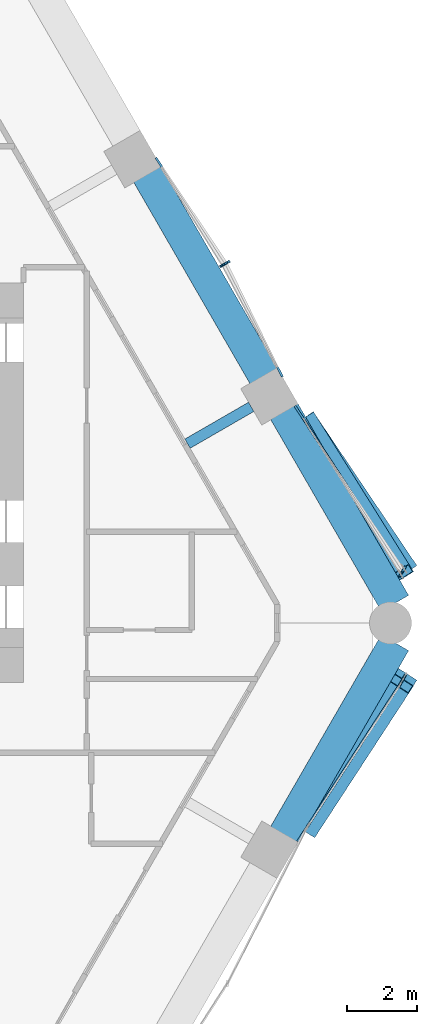
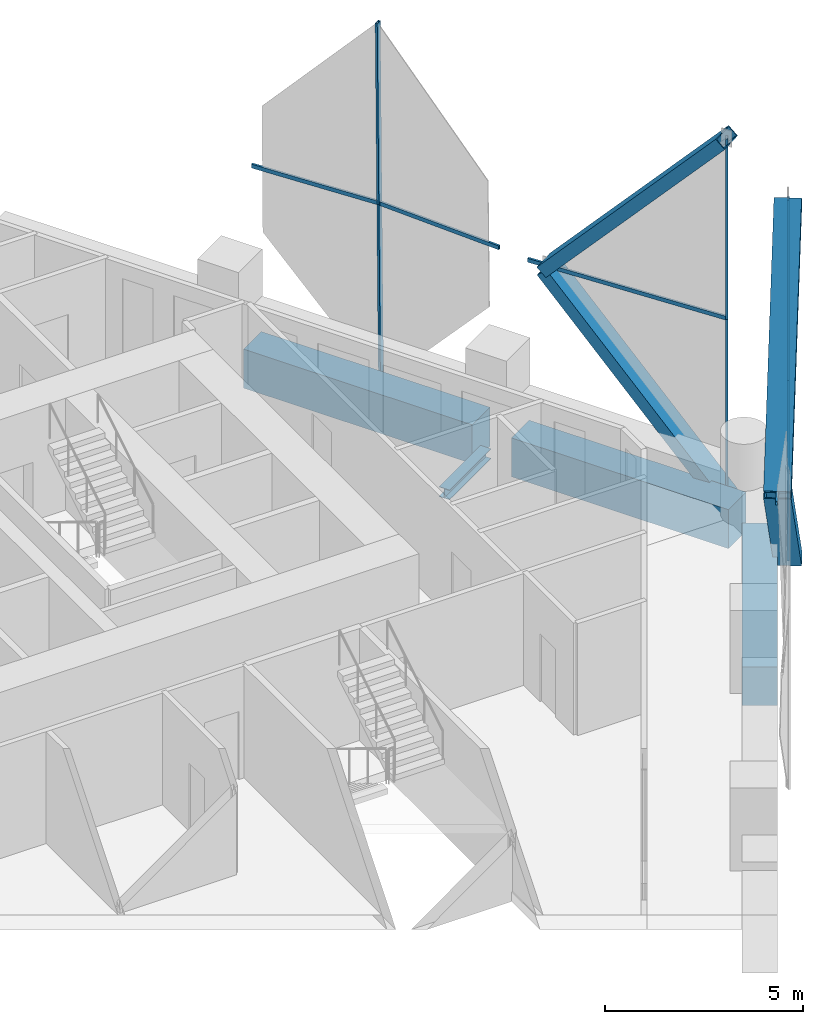
# One storey, part 7 of 16: 14 members, 4 beams, 4 elements without a shape of their own.
"""IFC4 building model written with IfcOpenShell, lengths in metres."""

from ifc_helpers import new_model, si_unit, direction, frame, origin, origin_2d, place, context, subcontext, project, spatial, rectangle, hollow_rectangle, i_section, extrude, material, material_profile, profile_set, type_object, element, aggregate, save


model = new_model("IFC4")

# Units and contexts
model_context = context("Model", 3, precision=1e-05, world=origin(), true_north=direction((0.0, 1.0)))
body_context = subcontext(model_context, "Body", "Model", "MODEL_VIEW")
ifc_project = project(units=[si_unit("LENGTHUNIT", "METRE"), si_unit("AREAUNIT", "SQUARE_METRE"), si_unit("VOLUMEUNIT", "CUBIC_METRE"), si_unit("PLANEANGLEUNIT", "RADIAN"), si_unit("MASSUNIT", "GRAM", prefix="KILO")], contexts=[model_context])

# Site, building, storey
site_placement = place(None, origin())
site = spatial("IfcSite", under=ifc_project, at=site_placement, CompositionType="ELEMENT")
building_placement = place(site_placement, origin())
building = spatial("IfcBuilding", under=site, at=building_placement, Name="Ostrander Bayou Hotel Tower", CompositionType="ELEMENT")
storey_placement = place(building_placement, frame((0.0, 0.0, 85.5)))
storey = spatial("IfcBuildingStorey", under=building, at=storey_placement, Name="L21", CompositionType="ELEMENT", Elevation=85.5)

# Curtain wall, members
ifc_material_1 = material(Name="Aluminium and clear glass", Category="aluminium")
curtain_wall_type = type_object("IfcCurtainWallType", Name="CW-LAT lattice glazing", PredefinedType="NOTDEFINED", material=ifc_material_1)
curtain_wall_1_placement = place(storey_placement, origin())
curtain_wall_1 = element("IfcCurtainWall", 1, at=curtain_wall_1_placement, inside=storey, type_object=curtain_wall_type, Name="CW-LAT L21 SE 1", PredefinedType="NOTDEFINED")
ifc_material_2 = material(Name="Aluminium", Category="aluminium")
ifc_material_profile_1 = material_profile(ifc_material_2, hollow_rectangle(XDim=0.06005859375, YDim=0.159912109375, WallThickness=0.00390625, at=origin_2d()))
ifc_profile_set_1 = profile_set([ifc_material_profile_1], Name="Aluminium")
member_type_1 = type_object("IfcMemberType", Name="CW-LA mullion 60 x 160 mm", PredefinedType="MULLION", material=ifc_profile_set_1)
member_1_placement = place(storey_placement, frame((22.8564453125, -1.551513671875, -0.60009765625), z_axis=(-0.008418950603, -0.014537878618, 0.99985887572), x_axis=(0.865367327112, -0.50113809391, 0.0)))
member_1 = element("IfcMember", 2, at=member_1_placement, type_object=member_type_1, Name="CW-LAT mullion 5", PredefinedType="MULLION", context=body_context, shape_type="SweptSolid", body=[
    extrude(hollow_rectangle(XDim=0.06005859375, YDim=0.159912109375, WallThickness=0.00390625, at=origin_2d()), origin(), (0.0, 0.0, 1.0), 5.625732421875),
])
member_2_placement = place(storey_placement, frame((22.80908203125, -1.63330078125, 5.02490234375), z_axis=(-0.008375557002, -0.014537883916, 0.999859240081), x_axis=(0.866486855147, -0.499199889682, 0.0)))
member_2 = element("IfcMember", 3, at=member_2_placement, type_object=member_type_1, Name="CW-LAT mullion 6", PredefinedType="MULLION", context=body_context, shape_type="SweptSolid", body=[
    extrude(hollow_rectangle(XDim=0.06005859375, YDim=0.159912109375, WallThickness=0.00390625, at=origin_2d()), origin(), (0.0, 0.0, 1.0), 5.625732421875),
])
aggregate(curtain_wall_1, [member_1, member_2])

curtain_wall_2_placement = place(storey_placement, origin())
curtain_wall_2 = element("IfcCurtainWall", 4, at=curtain_wall_2_placement, inside=storey, type_object=curtain_wall_type, Name="CW-LAT L21 NE 1", PredefinedType="NOTDEFINED")
member_3_placement = place(storey_placement, frame((22.8564453125, 1.551513671875, -0.60009765625), z_axis=(-0.008418950603, -0.014537878618, 0.99985887572), x_axis=(0.865367327112, -0.50113809391, 0.0)))
member_3 = element("IfcMember", 5, at=member_3_placement, type_object=member_type_1, Name="CW-LAT mullion 1", PredefinedType="MULLION", context=body_context, shape_type="SweptSolid", body=[
    extrude(hollow_rectangle(XDim=0.06005859375, YDim=0.159912109375, WallThickness=0.00390625, at=origin_2d()), origin(), (0.0, 0.0, 1.0), 5.625732421875),
])
member_4_placement = place(storey_placement, frame((22.80908203125, 1.4697265625, 5.02490234375), z_axis=(-0.008375557002, -0.014537883916, 0.999859240081), x_axis=(0.866486855147, -0.499199889682, 0.0)))
member_4 = element("IfcMember", 6, at=member_4_placement, type_object=member_type_1, Name="CW-LAT mullion 2", PredefinedType="MULLION", context=body_context, shape_type="SweptSolid", body=[
    extrude(hollow_rectangle(XDim=0.06005859375, YDim=0.159912109375, WallThickness=0.00390625, at=origin_2d()), origin(), (0.0, 0.0, 1.0), 5.625732421875),
])
member_5_placement = place(storey_placement, frame((17.814208984375, 10.284912109375, -0.60009765625), z_axis=(-0.012585478078, -0.007247499445, 0.999894534185), x_axis=(0.499032451057, -0.866583298242, 0.0)))
member_5 = element("IfcMember", 7, at=member_5_placement, type_object=member_type_1, Name="CW-LAT mullion 4", PredefinedType="MULLION", context=body_context, shape_type="SweptSolid", body=[
    extrude(hollow_rectangle(XDim=0.06005859375, YDim=0.159912109375, WallThickness=0.00390625, at=origin_2d()), origin(), (0.0, 0.0, 1.0), 5.62548828125),
])
member_6_placement = place(storey_placement, frame((17.743408203125, 10.244140625, 5.02490234375), z_axis=(-0.012628865384, -0.007290891356, 0.999893671678), x_axis=(0.499980071345, -0.866036909293, 0.0)))
member_6 = element("IfcMember", 8, at=member_6_placement, type_object=member_type_1, Name="CW-LAT mullion 5", PredefinedType="MULLION", context=body_context, shape_type="SweptSolid", body=[
    extrude(hollow_rectangle(XDim=0.06005859375, YDim=0.159912109375, WallThickness=0.00390625, at=origin_2d()), origin(), (0.0, 0.0, 1.0), 5.62548828125),
])
aggregate(curtain_wall_2, [member_3, member_4, member_5, member_6])

# Curtain wall, member
curtain_wall_3_placement = place(storey_placement, origin())
curtain_wall_3 = element("IfcCurtainWall", 9, at=curtain_wall_3_placement, inside=storey, type_object=curtain_wall_type, Name="CW-LAT L21 SE 2", PredefinedType="NOTDEFINED")
ifc_material_3 = material(Name="Aluminium", Category="aluminium")
ifc_material_profile_2 = material_profile(ifc_material_3, hollow_rectangle(XDim=0.06005859375, YDim=0.1201171875, WallThickness=0.00390625, at=origin_2d()))
ifc_profile_set_2 = profile_set([ifc_material_profile_2], Name="Aluminium")
member_type_2 = type_object("IfcMemberType", Name="CW-LA transom 60 x 120 mm", PredefinedType="USERDEFINED", material=ifc_profile_set_2)
member_7_placement = place(storey_placement, frame((22.80908203125, -1.63330078125, 5.02490234375), z_axis=(-0.545018043836, -0.838424314946, 0.0), x_axis=(0.838424314946, -0.545018043836, 0.0)))
member_7 = element("IfcMember", 10, at=member_7_placement, type_object=member_type_2, Name="CW-LAT transom 7", ObjectType="TRANSOM", PredefinedType="USERDEFINED", context=body_context, shape_type="SweptSolid", body=[
    extrude(hollow_rectangle(XDim=0.06005859375, YDim=0.1201171875, WallThickness=0.00390625, at=origin_2d()), origin(), (0.0, 0.0, 1.0), 5.490966796875),
])
aggregate(curtain_wall_3, [member_7])

# Curtain wall, members
curtain_wall_4_placement = place(storey_placement, origin())
curtain_wall_4 = element("IfcCurtainWall", 11, at=curtain_wall_4_placement, inside=storey, type_object=curtain_wall_type, Name="CW-LAT L21 NE 2", PredefinedType="NOTDEFINED")
member_8_placement = place(storey_placement, frame((22.80908203125, 1.4697265625, 5.02490234375), z_axis=(-0.544395572658, 0.838828624017, 0.0), x_axis=(-0.838828624017, -0.544395572658, 0.0)))
member_8 = element("IfcMember", 12, at=member_8_placement, type_object=member_type_2, Name="CW-LAT transom 3", ObjectType="TRANSOM", PredefinedType="USERDEFINED", context=body_context, shape_type="SweptSolid", body=[
    extrude(hollow_rectangle(XDim=0.06005859375, YDim=0.1201171875, WallThickness=0.00390625, at=origin_2d()), origin(), (0.0, 0.0, 1.0), 5.632568359375),
])
member_9_placement = place(storey_placement, frame((17.743408203125, 10.244140625, 5.02490234375), z_axis=(0.454202173952, -0.890898639115, 0.0), x_axis=(0.890898639115, 0.454202173952, 0.0)))
member_9 = element("IfcMember", 13, at=member_9_placement, type_object=member_type_2, Name="CW-LAT transom 6", ObjectType="TRANSOM", PredefinedType="USERDEFINED", context=body_context, shape_type="SweptSolid", body=[
    extrude(hollow_rectangle(XDim=0.06005859375, YDim=0.1201171875, WallThickness=0.00390625, at=origin_2d()), origin(), (0.0, 0.0, 1.0), 3.612060546875),
])
member_10_placement = place(storey_placement, frame((17.743408203125, 10.244140625, 5.02490234375), z_axis=(-0.544446826203, 0.838795358498, 0.0), x_axis=(-0.838795358498, -0.544446826203, 0.0)))
member_10 = element("IfcMember", 14, at=member_10_placement, type_object=member_type_2, Name="CW-LAT transom 7", ObjectType="TRANSOM", PredefinedType="USERDEFINED", context=body_context, shape_type="SweptSolid", body=[
    extrude(hollow_rectangle(XDim=0.06005859375, YDim=0.1201171875, WallThickness=0.00390625, at=origin_2d()), origin(), (0.0, 0.0, 1.0), 3.61376953125),
])
aggregate(curtain_wall_4, [member_8, member_9, member_10])

# Beam
ifc_material_4 = material(Name="Steel ASTM A992", Category="steel")
ifc_material_profile_3 = material_profile(ifc_material_4, i_section(OverallWidth=0.3046875, OverallDepth=0.307861328125, WebThickness=0.010009765625, FlangeThickness=0.015380859375, at=origin_2d()))
ifc_profile_set_3 = profile_set([ifc_material_profile_3], Name="Steel ASTM A992")
beam_type_1 = type_object("IfcBeamType", Name="LB1 loggia bracket W12x65", PredefinedType="BEAM", material=ifc_profile_set_3)
beam_1_placement = place(storey_placement, frame((18.494384765625, 6.166748046875, -0.453857421875), z_axis=(-0.866009402589, -0.500027713859, 0.0), x_axis=(0.500027713859, -0.866009402589, 0.0)))
element("IfcBeam", 15, at=beam_1_placement, inside=storey, type_object=beam_type_1, Name="LB1 L21 NE1", PredefinedType="BEAM", context=body_context, shape_type="SweptSolid", body=[
    extrude(i_section(OverallWidth=0.3046875, OverallDepth=0.307861328125, WebThickness=0.010009765625, FlangeThickness=0.015380859375, at=origin_2d()), origin(), (0.0, 0.0, 1.0), 2.10009765625),
])

# Members
ifc_material_5 = material(Name="Steel ASTM A572 Gr 50", Category="steel")
ifc_material_profile_4 = material_profile(ifc_material_5, hollow_rectangle(XDim=0.699951171875, YDim=0.35009765625, WallThickness=0.02490234375, at=origin_2d()))
ifc_profile_set_4 = profile_set([ifc_material_profile_4], Name="Steel ASTM A572 Gr 50")
member_type_3 = type_object("IfcMemberType", Name="LT1 lattice member box 700 x 350 x 25 mm", PredefinedType="BRACE", material=ifc_profile_set_4)
member_11_placement = place(storey_placement, frame((20.082763671875, -5.826904296875, 5.02490234375), z_axis=(0.365423728311, 0.563269107489, -0.741075847222), x_axis=(-0.838920497294, 0.544253984111, 0.0)))
element("IfcMember", 16, at=member_11_placement, inside=storey, type_object=member_type_3, Name="LT1 L21 SE 1", PredefinedType="BRACE", context=body_context, shape_type="SweptSolid", body=[
    extrude(hollow_rectangle(XDim=0.699951171875, YDim=0.35009765625, WallThickness=0.02490234375, at=origin_2d()), origin(), (0.0, 0.0, 1.0), 7.59033203125),
])
member_12_placement = place(storey_placement, frame((20.082763671875, -5.826904296875, 5.02490234375), z_axis=(0.358902908765, 0.550814907, 0.753519502273), x_axis=(-0.837836167518, 0.545921749337, 0.0)))
element("IfcMember", 17, at=member_12_placement, inside=storey, type_object=member_type_3, Name="LT1 L21 SE 2", PredefinedType="BRACE", context=body_context, shape_type="SweptSolid", body=[
    extrude(hollow_rectangle(XDim=0.699951171875, YDim=0.35009765625, WallThickness=0.02490234375, at=origin_2d()), origin(), (0.0, 0.0, 1.0), 7.465087890625),
])
member_13_placement = place(storey_placement, frame((20.04736328125, 5.724853515625, 5.02490234375), z_axis=(0.372240751599, -0.553023066907, -0.745387355888), x_axis=(0.829578236583, 0.558390499013, 0.0)))
element("IfcMember", 18, at=member_13_placement, inside=storey, type_object=member_type_3, Name="LT1 L21 NE 1", PredefinedType="BRACE", context=body_context, shape_type="SweptSolid", body=[
    extrude(hollow_rectangle(XDim=0.699951171875, YDim=0.35009765625, WallThickness=0.02490234375, at=origin_2d()), origin(), (0.0, 0.0, 1.0), 7.54638671875),
])
member_14_placement = place(storey_placement, frame((20.04736328125, 5.724853515625, 5.02490234375), z_axis=(0.357003417433, -0.570357829596, 0.739757058878), x_axis=(0.847644258819, 0.53056499177, 0.0)))
element("IfcMember", 19, at=member_14_placement, inside=storey, type_object=member_type_3, Name="LT1 L21 NE 2", PredefinedType="BRACE", context=body_context, shape_type="SweptSolid", body=[
    extrude(hollow_rectangle(XDim=0.699951171875, YDim=0.35009765625, WallThickness=0.02490234375, at=origin_2d()), origin(), (0.0, 0.0, 1.0), 7.603759765625),
])

# Beams
ifc_material_6 = material(Name="Concrete f'c 70 MPa", Category="concrete")
ifc_material_profile_5 = material_profile(ifc_material_6, rectangle(XDim=0.89990234375, YDim=1.199951171875, at=origin_2d()))
ifc_profile_set_5 = profile_set([ifc_material_profile_5], Name="Concrete f'c 70 MPa")
beam_type_2 = type_object("IfcBeamType", Name="SP2 spandrel beam 900 x 1200 mm f'c 70 MPa", PredefinedType="SPANDREL", material=ifc_profile_set_5)
for number, where, z_axis, x_axis, name in (
    (20, (19.428955078125, -6.048095703125, -0.60009765625), (0.500011668103, 0.866018667098, 0.0), (-0.866018667098, 0.500011668103, 0.0), "SP2 L21 SE-3"),
    (21, (22.595458984375, 0.563720703125, -0.60009765625), (-0.500011668103, 0.866018667098, 0.0), (-0.866018667098, -0.500011668103, 0.0), "SP2 L21 NE-1"),
):
    element("IfcBeam", number, at=place(storey_placement, frame(where, z_axis=z_axis, x_axis=x_axis)), inside=storey, type_object=beam_type_2, Name=name, PredefinedType="SPANDREL", context=body_context, shape_type="SweptSolid", body=[
        extrude(rectangle(XDim=0.89990234375, YDim=1.199951171875, at=origin_2d()), origin(), (0.0, 0.0, 1.0), 6.332763671875),
    ])
beam_2_placement = place(storey_placement, frame((18.85888671875, 7.035400390625, -0.60009765625), z_axis=(-0.499999023957, 0.866025967302, 0.0), x_axis=(-0.866025967302, -0.499999023957, 0.0)))
element("IfcBeam", 22, at=beam_2_placement, inside=storey, type_object=beam_type_2, Name="SP2 L21 NE-2", PredefinedType="SPANDREL", context=body_context, shape_type="SweptSolid", body=[
    extrude(rectangle(XDim=0.89990234375, YDim=1.199951171875, at=origin_2d()), origin(), (0.0, 0.0, 1.0), 6.67333984375),
])

save(model, "model.ifc")
